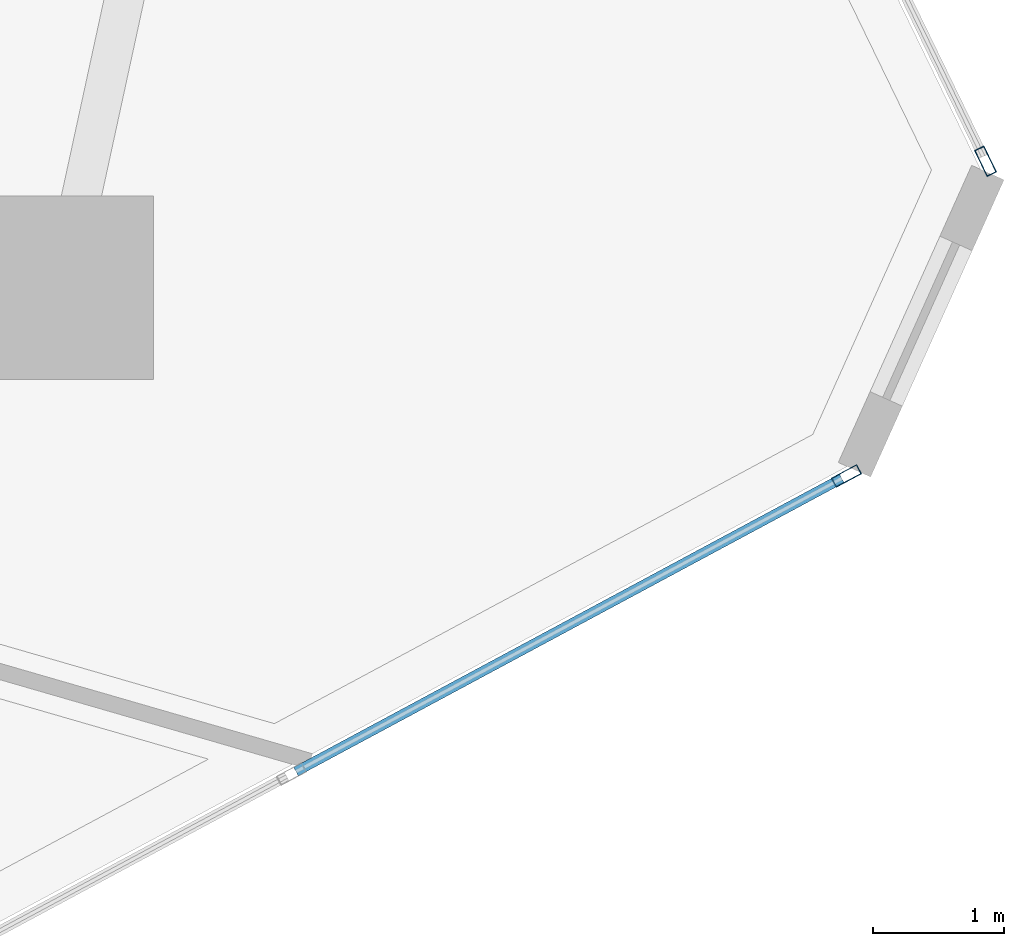
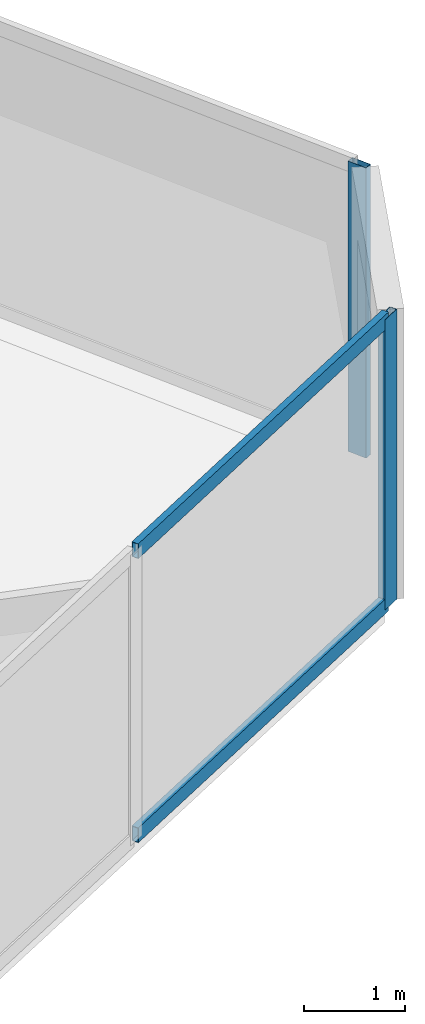
# One storey, part 11 of 24: 4 members, 2 elements without a shape of their own.
"""IFC4 building model written with IfcOpenShell, lengths in metres."""

from ifc_helpers import new_model, si_unit, direction, frame, origin, origin_2d, place, context, subcontext, project, spatial, hollow_rectangle, extrude, source, transform, mapped, material, layer, layer_set, material_profile, profile_set, type_object, type_shapes, element, aggregate, save


model = new_model("IFC4")

# Units and contexts
model_context = context("Model", 3, precision=1e-05, world=origin(), true_north=direction((0.0, 1.0)))
body_context = subcontext(model_context, "Body", "Model", "MODEL_VIEW")
ifc_project = project(units=[si_unit("LENGTHUNIT", "METRE"), si_unit("AREAUNIT", "SQUARE_METRE"), si_unit("VOLUMEUNIT", "CUBIC_METRE"), si_unit("PLANEANGLEUNIT", "RADIAN"), si_unit("MASSUNIT", "GRAM", prefix="KILO")], contexts=[model_context])

# Site, building, storey
site_placement = place(None, origin())
site = spatial("IfcSite", under=ifc_project, at=site_placement, CompositionType="ELEMENT")
building_placement = place(site_placement, origin())
building = spatial("IfcBuilding", under=site, at=building_placement, Name="Talar Marvaseh", CompositionType="ELEMENT")
storey_placement = place(building_placement, frame((0.0, 0.0, 43.0)))
storey = spatial("IfcBuildingStorey", under=building, at=storey_placement, Name="L10", CompositionType="ELEMENT", Elevation=43.0)

# Curtain wall, member
ifc_material = material(Name="Architectural Aluminium", Category="aluminium")
ifc_layer = layer(ifc_material, 0.219970703125)
ifc_layer_set = layer_set([ifc_layer], Name="Architectural Aluminium")
curtain_wall_type = type_object("IfcCurtainWallType", Name="Unitised Low-E Museum Curtain Wall Z1", PredefinedType="NOTDEFINED", material=ifc_layer_set)
curtain_wall_1_placement = place(storey_placement, origin())
curtain_wall_1 = element("IfcCurtainWall", 1, at=curtain_wall_1_placement, inside=storey, type_object=curtain_wall_type, Name="L10 Unitised Low-E Museum Curtain Wall Z1", PredefinedType="NOTDEFINED")
ifc_material_profile_1 = material_profile(ifc_material, hollow_rectangle(XDim=0.080078125, YDim=0.219970703125, WallThickness=0.0048828125, at=origin_2d()), Name="RHS220x80x5")
ifc_profile_set_1 = profile_set([ifc_material_profile_1], Name="Architectural Aluminium")
member_type_1 = type_object("IfcMemberType", Name="Unitised Curtain Wall Heavy Mullion RHS220x80x5", PredefinedType="MULLION", material=ifc_profile_set_1)
shared_shape_1 = source(origin(), body_context, "Body", "SweptSolid", [
    extrude(hollow_rectangle(XDim=0.080078125, YDim=0.219970703125, WallThickness=0.0048828125, at=origin_2d()), origin(), (0.0, 0.0, 1.0), 3.52001953125),
])
type_shapes(member_type_1, [shared_shape_1])
member_1_placement = place(storey_placement, frame((52.090576171875, 23.80419921875, 0.0), z_axis=(0.0, 0.0, 1.0), x_axis=(0.89952791467, 0.436863286086, 0.0)))
member_1 = element("IfcMember", 2, at=member_1_placement, type_object=member_type_1, Name="CW-Z1 mullion 5", PredefinedType="MULLION", context=body_context, shape_type="MappedRepresentation", body=[
    mapped(shared_shape_1, transform((0.0, 0.0, 0.0), x_axis=(1.0, 0.0, 0.0), y_axis=(0.0, 1.0, 0.0), z_axis=(0.0, 0.0, 1.0), scale=1.0)),
])
aggregate(curtain_wall_1, [member_1])

# Curtain wall, members
curtain_wall_2_placement = place(storey_placement, origin())
curtain_wall_2 = element("IfcCurtainWall", 3, at=curtain_wall_2_placement, inside=storey, type_object=curtain_wall_type, Name="L10 Unitised Low-E Museum Curtain Wall Z1", PredefinedType="NOTDEFINED")
member_2_placement = place(storey_placement, frame((51.02978515625, 21.404052734375, 0.0), z_axis=(0.0, 0.0, 1.0), x_axis=(0.473185134207, -0.880963012144, 0.0)))
member_2 = element("IfcMember", 4, at=member_2_placement, type_object=member_type_1, Name="CW-Z1 mullion 1", PredefinedType="MULLION", context=body_context, shape_type="MappedRepresentation", body=[
    mapped(shared_shape_1, transform((0.0, 0.0, 0.0), x_axis=(1.0, 0.0, 0.0), y_axis=(0.0, 1.0, 0.0), z_axis=(0.0, 0.0, 1.0), scale=1.0)),
])
ifc_material_profile_2 = material_profile(ifc_material, hollow_rectangle(XDim=0.074951171875, YDim=0.179931640625, WallThickness=0.0048828125, at=origin_2d()), Name="RHS180x75x5")
ifc_profile_set_2 = profile_set([ifc_material_profile_2], Name="Architectural Aluminium")
member_type_2 = type_object("IfcMemberType", Name="Unitised Curtain Wall Transom RHS180x75x5", PredefinedType="USERDEFINED", material=ifc_profile_set_2)
shared_shape_2 = source(origin(), body_context, "Body", "SweptSolid", [
    extrude(hollow_rectangle(XDim=0.074951171875, YDim=0.179931640625, WallThickness=0.0048828125, at=origin_2d()), origin(), (0.0, 0.0, 1.0), 4.725341796875),
])
type_shapes(member_type_2, [shared_shape_2])
member_3_placement = place(storey_placement, frame((50.99462890625, 21.38525390625, 0.03759765625), z_axis=(-0.88095175373, -0.473206094212, 0.0), x_axis=(0.473206094212, -0.88095175373, 0.0)))
member_3 = element("IfcMember", 5, at=member_3_placement, type_object=member_type_2, Name="CW-Z1 transom 1.1", ObjectType="TRANSOM", PredefinedType="USERDEFINED", context=body_context, shape_type="MappedRepresentation", body=[
    mapped(shared_shape_2, transform((0.0, 0.0, 0.0), x_axis=(1.0, 0.0, 0.0), y_axis=(0.0, 1.0, 0.0), z_axis=(0.0, 0.0, 1.0), scale=1.0)),
])
member_4_placement = place(storey_placement, frame((50.99462890625, 21.38525390625, 3.482421875), z_axis=(-0.88095175373, -0.473206094212, 0.0), x_axis=(0.473206094212, -0.88095175373, 0.0)))
member_4 = element("IfcMember", 6, at=member_4_placement, type_object=member_type_2, Name="CW-Z1 transom 1.2", ObjectType="TRANSOM", PredefinedType="USERDEFINED", context=body_context, shape_type="MappedRepresentation", body=[
    mapped(shared_shape_2, transform((0.0, 0.0, 0.0), x_axis=(1.0, 0.0, 0.0), y_axis=(0.0, 1.0, 0.0), z_axis=(0.0, 0.0, 1.0), scale=1.0)),
])
aggregate(curtain_wall_2, [member_2, member_3, member_4])

save(model, "model.ifc")
